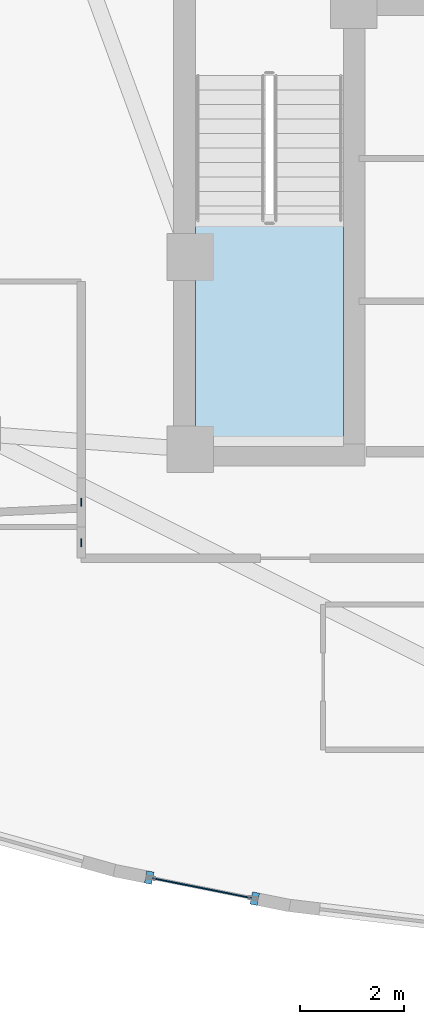
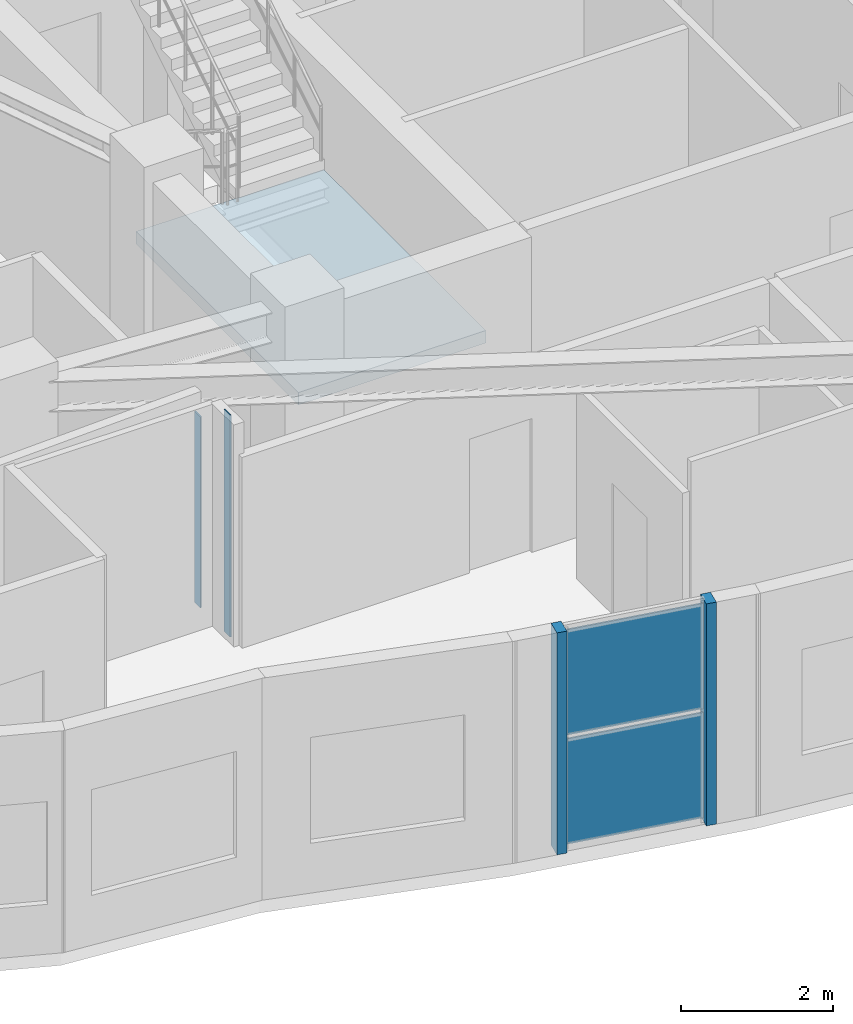
# One storey, part 8 of 16: 6 plates, 1 slab, 2 elements without a shape of their own.
"""IFC4 building model written with IfcOpenShell, lengths in metres."""

from ifc_helpers import new_model, si_unit, direction, frame, origin, origin_2d, place, context, subcontext, project, spatial, polyline, rectangle, outline, extrude, material, layer, layer_set, type_object, element, aggregate, save


model = new_model("IFC4")

# Units and contexts
model_context = context("Model", 3, precision=1e-05, world=origin(), true_north=direction((0.0, 1.0)))
body_context = subcontext(model_context, "Body", "Model", "MODEL_VIEW")
ifc_project = project(units=[si_unit("LENGTHUNIT", "METRE"), si_unit("AREAUNIT", "SQUARE_METRE"), si_unit("VOLUMEUNIT", "CUBIC_METRE"), si_unit("PLANEANGLEUNIT", "RADIAN"), si_unit("MASSUNIT", "GRAM", prefix="KILO")], contexts=[model_context])

# Site, building, storey
site_placement = place(None, origin())
site = spatial("IfcSite", under=ifc_project, at=site_placement, CompositionType="ELEMENT")
building_placement = place(site_placement, origin())
building = spatial("IfcBuilding", under=site, at=building_placement, Name="Miruveldt Soraemaru", CompositionType="ELEMENT")
storey_placement = place(building_placement, frame((0.0, 0.0, 271.25)))
storey = spatial("IfcBuildingStorey", under=building, at=storey_placement, Name="L74", CompositionType="ELEMENT", Elevation=271.25)

# Curtain wall, plates
ifc_material_1 = material(Name="Anodised aluminium EN AW-6063 T6", Category="aluminium")
ifc_layer_1 = layer(ifc_material_1, 0.1650390625, Name="Anodised aluminium EN AW-6063 T6", Category="aluminium")
ifc_layer_set_1 = layer_set([ifc_layer_1], Name="Anodised aluminium EN AW-6063 T6")
curtain_wall_type = type_object("IfcCurtainWallType", Name="CW-SYS-5", PredefinedType="USERDEFINED", material=ifc_layer_set_1)
curtain_wall_placement = place(storey_placement, origin())
curtain_wall = element("IfcCurtainWall", 1, at=curtain_wall_placement, inside=storey, type_object=curtain_wall_type, Name="L74 Curtain Wall Bay 22", ObjectType="UNITISED GLAZING", PredefinedType="USERDEFINED")
ifc_material_2 = material(Name="Triple low-e insulated glazing", Category="glass")
ifc_layer_2 = layer(ifc_material_2, 0.02587890625, Name="Triple low-e insulated glazing", Category="glass")
ifc_layer_set_2 = layer_set([ifc_layer_2], Name="Triple low-e insulated glazing")
plate_type_1 = type_object("IfcPlateType", Name="CWP-5", PredefinedType="CURTAIN_PANEL", material=ifc_layer_set_2)
plate_1_placement = place(storey_placement, frame((35.727294921875, 27.04638671875, 0.06005859375), z_axis=(0.0, 0.0, 1.0), x_axis=(0.980584382675, -0.196097599308, 0.0)))
plate_1 = element("IfcPlate", 2, at=plate_1_placement, type_object=plate_type_1, Name="CW-5 panel 1.1", PredefinedType="CURTAIN_PANEL", context=body_context, shape_type="SweptSolid", body=[
    extrude(rectangle(XDim=1.955078125, YDim=0.02587890625, at=origin_2d()), origin(), (0.0, 0.0, 1.0), 1.6923828125),
])
plate_2_placement = place(storey_placement, frame((35.727294921875, 27.04638671875, 1.8125), z_axis=(0.0, 0.0, 1.0), x_axis=(0.980584382675, -0.196097599308, 0.0)))
plate_2 = element("IfcPlate", 3, at=plate_2_placement, type_object=plate_type_1, Name="CW-5 panel 1.2", PredefinedType="CURTAIN_PANEL", context=body_context, shape_type="SweptSolid", body=[
    extrude(rectangle(XDim=1.955078125, YDim=0.02587890625, at=origin_2d()), origin(), (0.0, 0.0, 1.0), 1.6923828125),
])
aggregate(curtain_wall, [plate_1, plate_2])

# Plates
ifc_layer_3 = layer(ifc_material_1, 0.030029296875, Name="Anodised aluminium EN AW-6063 T6", Category="aluminium")
ifc_layer_set_3 = layer_set([ifc_layer_3], Name="Anodised aluminium EN AW-6063 T6")
plate_type_2 = type_object("IfcPlateType", Name="PLT-JAMB-30", PredefinedType="SHEET", material=ifc_layer_set_3)
for number, where, z_axis, x_axis, name in (
    (4, (34.7099609375, 27.25, 0.0), (0.0, 0.0, 1.0), (0.980583867301, -0.196100176415, 0.0), "L74 Curtain Wall Jamb Closure Trim 22JL"),
    (5, (36.74462890625, 26.843017578125, 0.0), (0.0, 0.0, 1.0), (0.980583867301, -0.196100176415, 0.0), "L74 Curtain Wall Jamb Closure Trim 22JR"),
):
    element("IfcPlate", number, at=place(storey_placement, frame(where, z_axis=z_axis, x_axis=x_axis)), inside=storey, type_object=plate_type_2, Name=name, PredefinedType="SHEET", context=body_context, shape_type="SweptSolid", body=[
        extrude(rectangle(XDim=0.139892578125, YDim=0.239990234375, at=origin_2d()), origin(), (0.0, 0.0, 1.0), 3.56494140625),
    ])
ifc_layer_4 = layer(ifc_material_1, 0.02001953125, Name="Anodised aluminium EN AW-6063 T6", Category="aluminium")
ifc_layer_set_4 = layer_set([ifc_layer_4], Name="Anodised aluminium EN AW-6063 T6")
plate_type_3 = type_object("IfcPlateType", Name="PLT-PART-TRIM", PredefinedType="SHEET", material=ifc_layer_set_4)
plate_3_placement = place(storey_placement, frame((33.39990234375, 34.47705078125, 0.0), z_axis=(0.0, 0.0, 1.0), x_axis=(0.0, -1.0, 0.0)))
element("IfcPlate", 6, at=plate_3_placement, inside=storey, type_object=plate_type_3, Name="L74 Partition Step Corner Trim Plate 007", PredefinedType="SHEET", context=body_context, shape_type="SweptSolid", body=[
    extrude(rectangle(XDim=0.159912109375, YDim=0.02001953125, at=origin_2d()), origin(), (0.0, 0.0, 1.0), 3.06494140625),
])
plate_4_placement = place(storey_placement, frame((33.39990234375, 33.699951171875, 0.0), z_axis=(0.0, 0.0, 1.0), x_axis=(0.0, -1.0, 0.0)))
element("IfcPlate", 7, at=plate_4_placement, inside=storey, type_object=plate_type_3, Name="L74 Partition Step Corner Trim Plate 004", PredefinedType="SHEET", context=body_context, shape_type="SweptSolid", body=[
    extrude(rectangle(XDim=0.159912109375, YDim=0.02001953125, at=origin_2d()), origin(), (0.0, 0.0, 1.0), 3.56494140625),
])

# Stair, slab
ifc_material_3 = material(Name="Concrete C40/50 (40 MPa)", Category="concrete")
stair_type = type_object("IfcStairType", Name="STAIR-DL-385", PredefinedType="HALF_TURN_STAIR", material=ifc_material_3)
stair_placement = place(storey_placement, origin())
stair = element("IfcStair", 8, at=stair_placement, inside=storey, type_object=stair_type, Name="L74 Protected Exit Stair ST-1", PredefinedType="HALF_TURN_STAIR")
ifc_layer_5 = layer(ifc_material_3, 0.199951171875, Name="Concrete C40/50 (40 MPa)", Category="concrete")
ifc_layer_set_5 = layer_set([ifc_layer_5], Name="Concrete C40/50 (40 MPa)")
slab_type = type_object("IfcSlabType", Name="SLAB-LAND-200", PredefinedType="LANDING", material=ifc_layer_set_5)
slab_placement = place(storey_placement, frame((0.0, 0.0, 1.72509765625)))
slab = element("IfcSlab", 9, at=slab_placement, type_object=slab_type, Name="ST-1 landing 1", PredefinedType="LANDING", context=body_context, shape_type="SweptSolid", body=[
    extrude(outline(polyline([(35.60009765625, 39.91796875), (35.60009765625, 35.64990234375), (38.449951171875, 35.64990234375), (38.449951171875, 39.91796875), (35.60009765625, 39.91796875)])), origin(), (0.0, 0.0, 1.0), 0.199951171875),
])
aggregate(stair, [slab])

save(model, "model.ifc")
